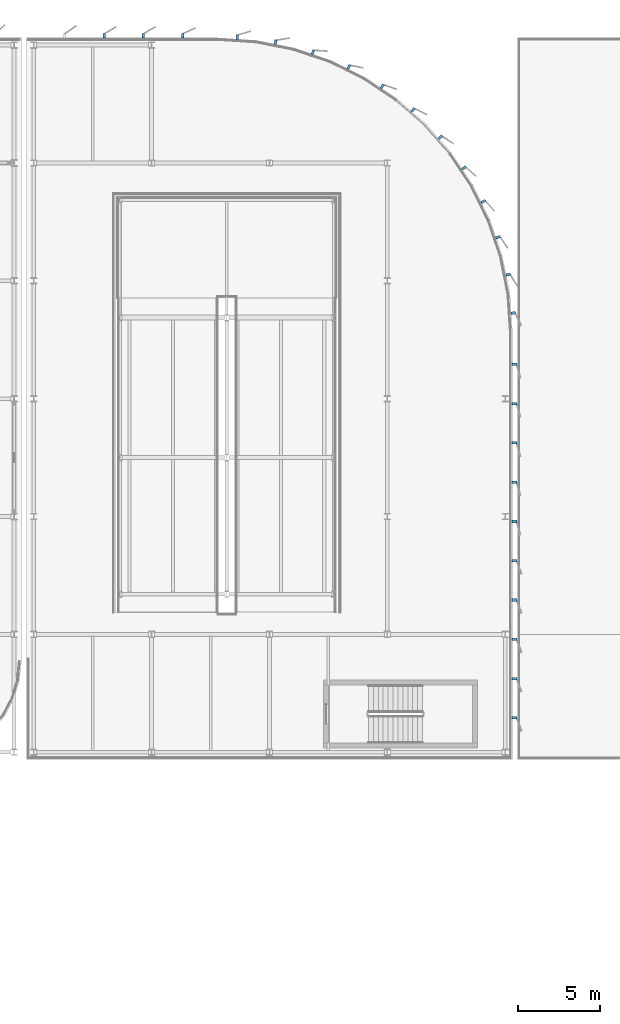
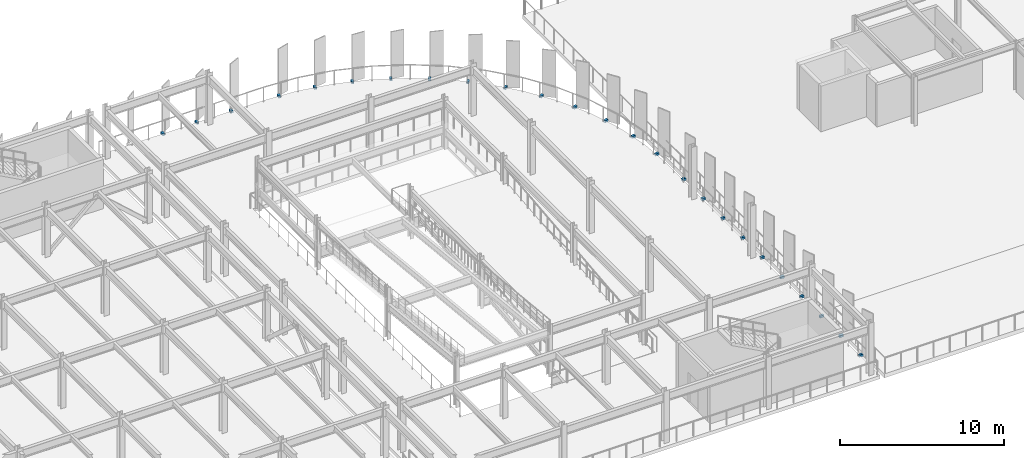
# One storey, part 41 of 52: 25 discrete accessories.
"""IFC4 building model written with IfcOpenShell, lengths in metres."""

import ifcopenshell
import ifcopenshell.guid

model = None  # the IFC model being written
_history = None  # IfcOwnerHistory: only IFC2X3 demands one
_inside = {}  # id of a spatial element -> (the spatial element, [elements in it])
_under = {}  # id of a project, library or spatial element -> (it, [spatial elements below it])
_declared = {}  # id of a project -> (the project, [libraries it declares])
_typed = {}  # id of a type object -> (the type object, [elements of that type])
_made_of = {}  # id of a material, layer set ... -> (it, [elements and type objects made of it])


def new_model(schema):
    """Start an empty IFC model of exactly this schema.

    Asked for "IFC4X3", IfcOpenShell would pick the latest addendum, in which some entities
    have other attributes; the version numbers below select the first issue.
    IFC2X3 requires an IfcOwnerHistory on every rooted entity: one is made here for all.
    """
    global model, _history
    if schema == "IFC4X3":
        model = ifcopenshell.file(schema_version=(4, 3, 0, 0))
    else:
        model = ifcopenshell.file(schema=schema)
    _inside.clear()
    _under.clear()
    _declared.clear()
    _typed.clear()
    _made_of.clear()
    _history = None
    if model.schema == "IFC2X3":
        org = make("IfcOrganization", Name="unknown")
        user = make(
            "IfcPersonAndOrganization",
            ThePerson=make("IfcPerson", FamilyName="unknown"),
            TheOrganization=org,
        )
        app = make(
            "IfcApplication",
            ApplicationDeveloper=org,
            Version="unknown",
            ApplicationFullName="unknown",
            ApplicationIdentifier="unknown",
        )
        _history = make(
            "IfcOwnerHistory",
            OwningUser=user,
            OwningApplication=app,
            ChangeAction="ADDED",
            CreationDate=0,
        )
    return model


def make(cls, **values):
    """One entity of the class cls with the attributes given. An attribute that is None is left unset."""
    return model.create_entity(
        cls, **{name: value for name, value in values.items() if value is not None}
    )


def rooted(cls, **values):
    """An entity with a GlobalId (a new one), such as an element, a storey or a relation."""
    return make(cls, GlobalId=ifcopenshell.guid.new(), OwnerHistory=_history, **values)


def si_unit(unit_type, name, prefix=None):
    """IfcSIUnit, for example si_unit("LENGTHUNIT", "METRE", prefix="MILLI")."""
    return make("IfcSIUnit", UnitType=unit_type, Prefix=prefix, Name=name)


def assignment(units):
    """IfcUnitAssignment: the units of a project."""
    return None if units is None else make("IfcUnitAssignment", Units=units)


def point(xyz):
    """IfcCartesianPoint."""
    return None if xyz is None else make("IfcCartesianPoint", Coordinates=xyz)


def direction(xyz):
    """IfcDirection."""
    return None if xyz is None else make("IfcDirection", DirectionRatios=xyz)


def frame(location, z_axis=None, x_axis=None):
    """IfcAxis2Placement3D, a coordinate frame: its origin and axes. An axis left out is left unset."""
    return make(
        "IfcAxis2Placement3D",
        Location=point(location),
        Axis=direction(z_axis),
        RefDirection=direction(x_axis),
    )


def frame_2d(location, x_axis=None):
    """IfcAxis2Placement2D, a coordinate frame in the plane: its origin and x axis."""
    return make(
        "IfcAxis2Placement2D", Location=point(location), RefDirection=direction(x_axis)
    )


def origin():
    """The frame at (0, 0, 0) with its axes left unset."""
    return frame((0.0, 0.0, 0.0))


def origin_2d():
    """The frame at (0, 0) in the plane with its x axis left unset."""
    return frame_2d((0.0, 0.0))


def place(relative_to, where):
    """IfcLocalPlacement: puts the frame where relative to a parent placement (None: the world)."""
    return make(
        "IfcLocalPlacement", PlacementRelTo=relative_to, RelativePlacement=where
    )


def context(
    kind, dimensions, precision=None, world=None, true_north=None, identifier=None
):
    """IfcGeometricRepresentationContext, for example the 3D "Model" context."""
    return make(
        "IfcGeometricRepresentationContext",
        ContextIdentifier=identifier,
        ContextType=kind,
        CoordinateSpaceDimension=dimensions,
        Precision=precision,
        WorldCoordinateSystem=world,
        TrueNorth=true_north,
    )


def subcontext(parent, identifier, kind, view, scale=None):
    """IfcGeometricRepresentationSubContext, for example "Body" below "Model"."""
    return make(
        "IfcGeometricRepresentationSubContext",
        ContextIdentifier=identifier,
        ContextType=kind,
        ParentContext=parent,
        TargetScale=scale,
        TargetView=view,
    )


def project(units=None, contexts=None):
    """IfcProject with its units and contexts."""
    return rooted(
        "IfcProject",
        Name="project",
        RepresentationContexts=contexts,
        UnitsInContext=assignment(units),
    )


def spatial(cls, under=None, at=None, **own):
    """A site, building, storey or space (cls), placed at a placement, below another one or the project."""
    s = rooted(cls, ObjectPlacement=at, **own)
    if under is not None:
        _under.setdefault(under.id(), (under, []))[1].append(s)
    return s


def profile(cls, at=None, kind="AREA", **sizes):
    """A parametric profile (cls). Its sizes go by their IFC names, for example OverallWidth=200.0."""
    return make(cls, ProfileType=kind, Position=at, **sizes)


def rectangle(**sizes):
    """IfcRectangleProfileDef."""
    return profile("IfcRectangleProfileDef", **sizes)


def extrude(swept, where, along, depth):
    """IfcExtrudedAreaSolid: the profile swept, set in the frame where, extruded along a direction by depth."""
    return make(
        "IfcExtrudedAreaSolid",
        SweptArea=swept,
        Position=where,
        ExtrudedDirection=direction(along),
        Depth=depth,
    )


def shape(context_of_items, identifier, shape_type, items):
    """IfcShapeRepresentation: the items that make up one representation, for example the "Body"."""
    return make(
        "IfcShapeRepresentation",
        ContextOfItems=context_of_items,
        RepresentationIdentifier=identifier,
        RepresentationType=shape_type,
        Items=items,
    )


def material(Name=None, Category=None):
    """IfcMaterial."""
    return make("IfcMaterial", Name=Name, Category=Category)


def made_of(thing, what):
    """Note that an element or type object is made of a material, layer set ...; save() writes the relation."""
    if what is not None:
        _made_of.setdefault(what.id(), (what, []))[1].append(thing)
    return thing


def type_object(cls, material=None, **own):
    """A type object (cls), such as IfcWallType, which elements share."""
    return made_of(rooted(cls, **own), material)


def element(
    cls,
    number,
    at=None,
    inside=None,
    cuts=None,
    type_object=None,
    material=None,
    context=None,
    identifier="Body",
    shape_type=None,
    held_by="IfcProductDefinitionShape",
    body=None,
    shapes=None,
    **own,
):
    """One element of the class cls, such as IfcWall. Its Tag is "e" and its number.

    at: its placement. inside: the storey or other place that contains it. cuts: it is an
    opening in that element (IfcRelVoidsElement). A single representation is given by context,
    identifier, shape_type and body (its items); several are given by shapes. held_by: the class
    of the entity that holds the representations. save() writes the other relations.
    """
    e = rooted(cls, Tag="e%d" % number, ObjectPlacement=at, **own)
    if body is not None:
        shapes = [shape(context, identifier, shape_type, body)]
    if shapes is not None:
        e.Representation = make(held_by, Representations=shapes)
    if inside is not None:
        _inside.setdefault(inside.id(), (inside, []))[1].append(e)
    if cuts is not None:
        rooted(
            "IfcRelVoidsElement", RelatingBuildingElement=cuts, RelatedOpeningElement=e
        )
    if type_object is not None:
        _typed.setdefault(type_object.id(), (type_object, []))[1].append(e)
    return made_of(e, material)


def aggregate(whole, parts):
    """IfcRelAggregates: a whole, such as a stair, and the parts it consists of."""
    return rooted("IfcRelAggregates", RelatingObject=whole, RelatedObjects=parts)


def save(model, path):
    """Write the relations noted so far, then the file.

    IfcRelAggregates (storeys below a building ...), IfcRelContainedInSpatialStructure (elements
    in a storey), IfcRelDefinesByType, IfcRelAssociatesMaterial and IfcRelDeclares: one each for
    every whole, place, type object, material and project.
    """
    for whole, parts in _under.values():
        aggregate(whole, parts)
    for where, things in _inside.values():
        rooted(
            "IfcRelContainedInSpatialStructure",
            RelatedElements=things,
            RelatingStructure=where,
        )
    for kind, things in _typed.values():
        rooted("IfcRelDefinesByType", RelatedObjects=things, RelatingType=kind)
    for what, things in _made_of.values():
        rooted("IfcRelAssociatesMaterial", RelatedObjects=things, RelatingMaterial=what)
    for by, libraries in _declared.values():
        rooted("IfcRelDeclares", RelatingContext=by, RelatedDefinitions=libraries)
    model.write(path)


model = new_model("IFC4")

# Units and contexts
model_context = context("Model", 3, precision=1e-05, world=origin(), true_north=direction((0.0, 1.0)))
body_context = subcontext(model_context, "Body", "Model", "MODEL_VIEW")
ifc_project = project(units=[si_unit("LENGTHUNIT", "METRE"), si_unit("AREAUNIT", "SQUARE_METRE"), si_unit("VOLUMEUNIT", "CUBIC_METRE"), si_unit("PLANEANGLEUNIT", "RADIAN"), si_unit("MASSUNIT", "GRAM", prefix="KILO")], contexts=[model_context])

# Site, building, storey
site_placement = place(None, origin())
site = spatial("IfcSite", under=ifc_project, at=site_placement, CompositionType="ELEMENT")
building_placement = place(site_placement, origin())
building = spatial("IfcBuilding", under=site, at=building_placement, Name="Vaelcorin Mobility Hub", CompositionType="ELEMENT")
storey_placement = place(building_placement, frame((0.0, 0.0, 13.199951171875)))
storey = spatial("IfcBuildingStorey", under=building, at=storey_placement, Name="L03", CompositionType="ELEMENT", Elevation=13.199951171875)

# Discrete accessories
ifc_material = material(Name="Galvanised structural steel ASTM A36", Category="steel")
discrete_accessory_type = type_object("IfcDiscreteAccessoryType", Name="ACC-BRK-FIN", PredefinedType="BRACKET", material=ifc_material)
for number, where, z_axis, x_axis, name in (
    (1, (127.89990234375, 120.570068359375, -0.15966796875), (0.0, 0.0, 1.0), (0.0, 1.0, 0.0), "Aerofoil Outrigger Bracket FIN-V2E-L03-N-BK-02"),
    (2, (130.300048828125, 120.570068359375, -0.15966796875), (0.0, 0.0, 1.0), (0.0, 1.0, 0.0), "Aerofoil Outrigger Bracket FIN-V2E-L03-N-BK-03"),
    (3, (132.699951171875, 120.570068359375, -0.15966796875), (0.0, 0.0, 1.0), (0.0, 1.0, 0.0), "Aerofoil Outrigger Bracket FIN-V2E-L03-N-BK-04"),
    (4, (152.89306640625, 103.632080078125, -0.15966796875), (0.0, 0.0, 1.0), (0.997857781587, 0.065420545144, 0.0), "Aerofoil Outrigger Bracket FIN-V2E-L03-ABK-01"),
    (5, (152.583984375, 105.97705078125, -0.15966796875), (0.0, 0.0, 1.0), (0.980826118513, 0.19488490255, 0.0), "Aerofoil Outrigger Bracket FIN-V2E-L03-ABK-02"),
    (6, (151.971923828125, 108.261962890625, -0.15966796875), (0.0, 0.0, 1.0), (0.946885238849, 0.321571678558, 0.0), "Aerofoil Outrigger Bracket FIN-V2E-L03-ABK-03"),
    (7, (151.06689453125, 110.447021484375, -0.15966796875), (0.0, 0.0, 1.0), (0.896795533934, 0.442445217305, 0.0), "Aerofoil Outrigger Bracket FIN-V2E-L03-ABK-04"),
    (8, (149.884033203125, 112.49609375, -0.15966796875), (0.0, 0.0, 1.0), (0.831527786922, 0.555483158679, 0.0), "Aerofoil Outrigger Bracket FIN-V2E-L03-ABK-05"),
    (9, (148.444091796875, 114.3720703125, -0.15966796875), (0.0, 0.0, 1.0), (0.751897343393, 0.659280202189, 0.0), "Aerofoil Outrigger Bracket FIN-V2E-L03-ABK-06"),
    (10, (146.77197265625, 116.0439453125, -0.15966796875), (0.0, 0.0, 1.0), (0.659280202189, 0.751897343393, 0.0), "Aerofoil Outrigger Bracket FIN-V2E-L03-ABK-07"),
    (11, (144.89599609375, 117.48388671875, -0.15966796875), (0.0, 0.0, 1.0), (0.555483158679, 0.831527786922, 0.0), "Aerofoil Outrigger Bracket FIN-V2E-L03-ABK-08"),
    (12, (142.846923828125, 118.6669921875, -0.15966796875), (0.0, 0.0, 1.0), (0.442445217305, 0.896795533934, 0.0), "Aerofoil Outrigger Bracket FIN-V2E-L03-ABK-09"),
    (13, (140.662109375, 119.572021484375, -0.15966796875), (0.0, 0.0, 1.0), (0.321571678558, 0.946885238849, 0.0), "Aerofoil Outrigger Bracket FIN-V2E-L03-ABK-10"),
    (14, (138.376953125, 120.18408203125, -0.15966796875), (0.0, 0.0, 1.0), (0.19488490255, 0.980826118513, 0.0), "Aerofoil Outrigger Bracket FIN-V2E-L03-ABK-11"),
    (15, (136.031982421875, 120.492919921875, -0.15966796875), (0.0, 0.0, 1.0), (0.065420545144, 0.997857781587, 0.0), "Aerofoil Outrigger Bracket FIN-V2E-L03-ABK-12"),
    (16, (152.969970703125, 100.5, -0.15966796875), (0.0, 0.0, 1.0), (1.0, 0.0, 0.0), "Aerofoil Outrigger Bracket FIN-V2E-L03-E-BK-01"),
    (17, (152.969970703125, 98.10009765625, -0.15966796875), (0.0, 0.0, 1.0), (1.0, 0.0, 0.0), "Aerofoil Outrigger Bracket FIN-V2E-L03-E-BK-02"),
    (18, (152.969970703125, 95.699951171875, -0.15966796875), (0.0, 0.0, 1.0), (1.0, 0.0, 0.0), "Aerofoil Outrigger Bracket FIN-V2E-L03-E-BK-03"),
    (19, (152.969970703125, 93.300048828125, -0.15966796875), (0.0, 0.0, 1.0), (1.0, 0.0, 0.0), "Aerofoil Outrigger Bracket FIN-V2E-L03-E-BK-04"),
    (20, (152.969970703125, 90.89990234375, -0.15966796875), (0.0, 0.0, 1.0), (1.0, 0.0, 0.0), "Aerofoil Outrigger Bracket FIN-V2E-L03-E-BK-05"),
    (21, (152.969970703125, 88.5, -0.15966796875), (0.0, 0.0, 1.0), (1.0, 0.0, 0.0), "Aerofoil Outrigger Bracket FIN-V2E-L03-E-BK-06"),
    (22, (152.969970703125, 86.10009765625, -0.15966796875), (0.0, 0.0, 1.0), (1.0, 0.0, 0.0), "Aerofoil Outrigger Bracket FIN-V2E-L03-E-BK-07"),
    (23, (152.969970703125, 83.699951171875, -0.15966796875), (0.0, 0.0, 1.0), (1.0, 0.0, 0.0), "Aerofoil Outrigger Bracket FIN-V2E-L03-E-BK-08"),
    (24, (152.969970703125, 81.300048828125, -0.15966796875), (0.0, 0.0, 1.0), (1.0, 0.0, 0.0), "Aerofoil Outrigger Bracket FIN-V2E-L03-E-BK-09"),
    (25, (152.969970703125, 78.89990234375, -0.15966796875), (0.0, 0.0, 1.0), (1.0, 0.0, 0.0), "Aerofoil Outrigger Bracket FIN-V2E-L03-E-BK-10"),
):
    element("IfcDiscreteAccessory", number, at=place(storey_placement, frame(where, z_axis=z_axis, x_axis=x_axis)), inside=storey, type_object=discrete_accessory_type, Name=name, PredefinedType="BRACKET", context=body_context, shape_type="SweptSolid", body=[
        extrude(rectangle(XDim=0.280029296875, YDim=0.159912109375, at=origin_2d()), origin(), (0.0, 0.0, 1.0), 0.159912109375),
    ])

save(model, "model.ifc")
